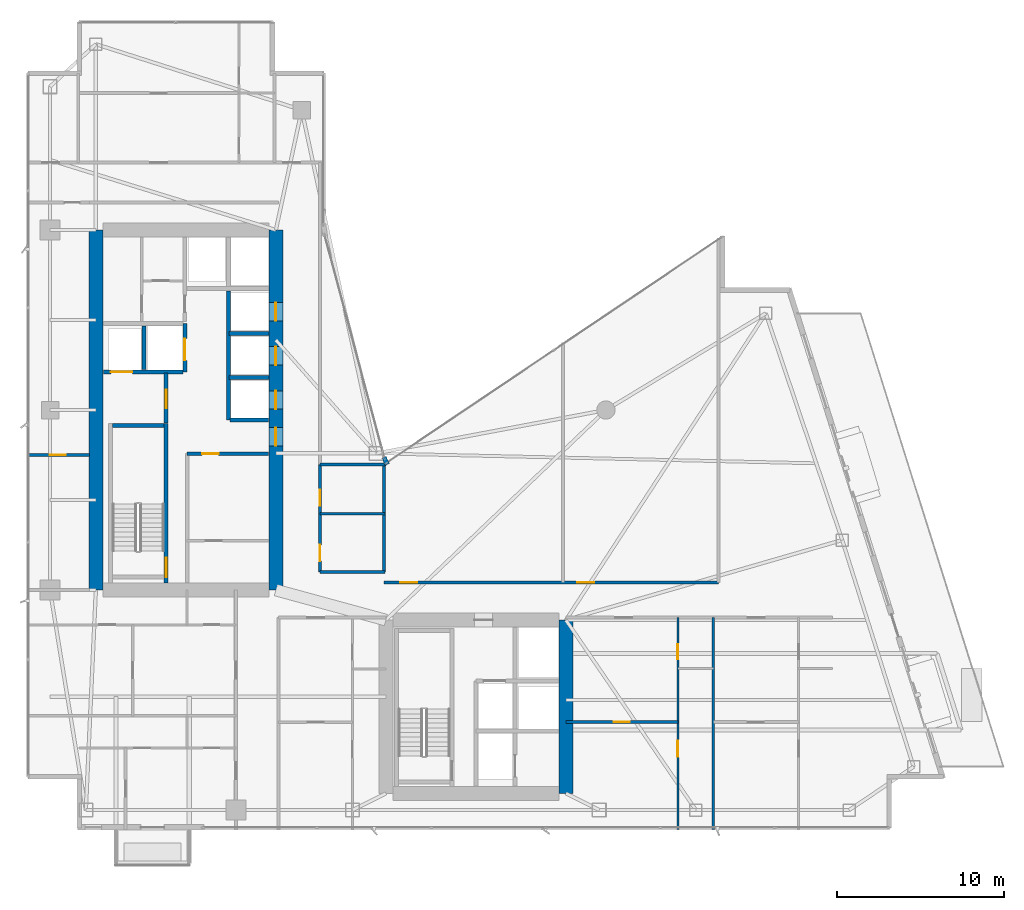
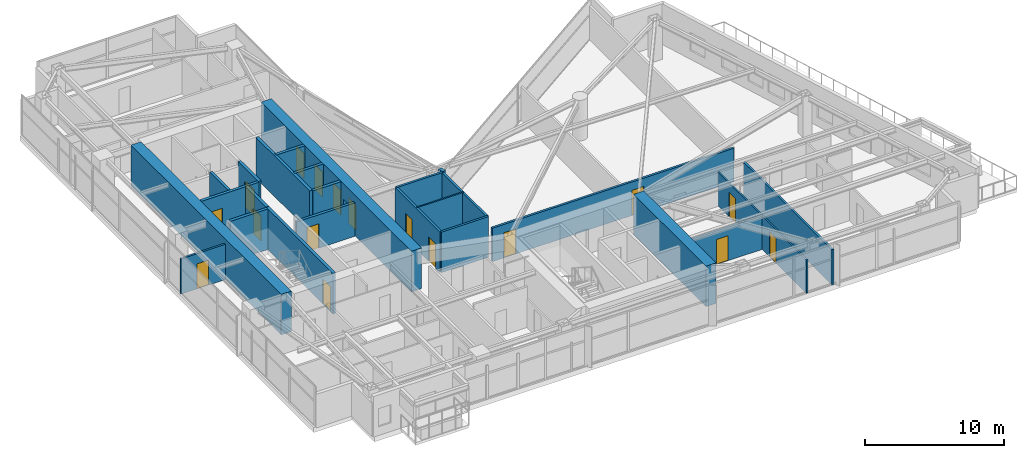
# One storey, part 25 of 30: 25 walls, 17 doors, 17 openings.
"""IFC4 building model written with IfcOpenShell, lengths in metres."""

from ifc_helpers import new_model, si_unit, direction, frame, frame_2d, origin, place, context, subcontext, project, spatial, rectangle, extrude, material, layer, layer_set, type_object, element, fill, save


model = new_model("IFC4")

# Units and contexts
model_context = context("Model", 3, precision=1e-05, world=origin(), true_north=direction((0.0, 1.0)))
body_context = subcontext(model_context, "Body", "Model", "MODEL_VIEW")
ifc_project = project(units=[si_unit("LENGTHUNIT", "METRE"), si_unit("AREAUNIT", "SQUARE_METRE"), si_unit("VOLUMEUNIT", "CUBIC_METRE"), si_unit("PLANEANGLEUNIT", "RADIAN"), si_unit("MASSUNIT", "GRAM", prefix="KILO")], contexts=[model_context])

# Site, building, storey
site_placement = place(None, origin())
site = spatial("IfcSite", under=ifc_project, at=site_placement, CompositionType="ELEMENT")
building_placement = place(site_placement, origin())
building = spatial("IfcBuilding", under=site, at=building_placement, Name="Calvorn Quay Hotel", CompositionType="ELEMENT")
storey_placement = place(building_placement, frame((0.0, 0.0, 191.300048828125)))
storey = spatial("IfcBuildingStorey", under=building, at=storey_placement, Name="L47", CompositionType="ELEMENT", Elevation=191.300048828125)

# Wall
ifc_material_1 = material(Name="Concrete C50", Category="concrete")
ifc_layer_1 = layer(ifc_material_1, 0.85009765625)
ifc_layer_set_1 = layer_set([ifc_layer_1], Name="WL-CORE-850")
wall_type_1 = type_object("IfcWallType", Name="WL-CORE-850", PredefinedType="SHEAR", material=ifc_layer_set_1)
wall_1_placement = place(storey_placement, frame((4.199951171875, 16.800048828125, 0.0), z_axis=(0.0, 0.0, 1.0), x_axis=(0.0, 1.0, 0.0)))
element("IfcWall", 1, at=wall_1_placement, inside=storey, type_object=wall_type_1, Name="West Core Shear Wall W (L47)", PredefinedType="SHEAR", context=body_context, shape_type="SweptSolid", body=[
    extrude(rectangle(XDim=21.599853515625, YDim=0.85009765625, at=frame_2d((10.7998046875, 0.0))), origin(), (0.0, 0.0, 1.0), 3.56005859375),
])

# Wall, openings, doors
wall_2_placement = place(storey_placement, frame((15.0, 16.800048828125, 0.0), z_axis=(0.0, 0.0, 1.0), x_axis=(0.0, 1.0, 0.0)))
wall_2 = element("IfcWall", 2, at=wall_2_placement, inside=storey, type_object=wall_type_1, Name="West Core Shear Wall E (L47)", PredefinedType="SHEAR", context=body_context, shape_type="SweptSolid", body=[
    extrude(rectangle(XDim=21.599853515625, YDim=0.85009765625, at=frame_2d((10.7998046875, 0.0))), origin(), (0.0, 0.0, 1.0), 3.56005859375),
])
opening_1_placement = place(wall_2_placement, frame((8.64990234375, 0.0, 0.0)))
opening_1 = element("IfcOpeningElement", 3, at=opening_1_placement, cuts=wall_2, Name="Opening D-L47-CW1", PredefinedType="OPENING", context=body_context, shape_type="SweptSolid", body=[
    extrude(rectangle(XDim=1.10009765625, YDim=2.199951171875, at=frame_2d((0.550048828125, 1.10009765625))), frame((0.0, 0.43505859375, 0.0), z_axis=(0.0, -1.0, 0.0), x_axis=(1.0, 0.0, 0.0)), (0.0, 0.0, 1.0), 0.8701171875),
])
opening_2_placement = place(wall_2_placement, frame((10.85009765625, 0.0, 0.0)))
opening_2 = element("IfcOpeningElement", 4, at=opening_2_placement, cuts=wall_2, Name="Opening LD-L47-M1", PredefinedType="OPENING", context=body_context, shape_type="SweptSolid", body=[
    extrude(rectangle(XDim=1.10009765625, YDim=2.199951171875, at=frame_2d((0.550048828125, 1.10009765625))), frame((0.0, 0.43505859375, 0.0), z_axis=(0.0, -1.0, 0.0), x_axis=(1.0, 0.0, 0.0)), (0.0, 0.0, 1.0), 0.8701171875),
])
opening_3_placement = place(wall_2_placement, frame((13.5, 0.0, 0.0)))
opening_3 = element("IfcOpeningElement", 5, at=opening_3_placement, cuts=wall_2, Name="Opening LD-L47-M2", PredefinedType="OPENING", context=body_context, shape_type="SweptSolid", body=[
    extrude(rectangle(XDim=1.10009765625, YDim=2.199951171875, at=frame_2d((0.550048828125, 1.10009765625))), frame((0.0, 0.43505859375, 0.0), z_axis=(0.0, -1.0, 0.0), x_axis=(1.0, 0.0, 0.0)), (0.0, 0.0, 1.0), 0.8701171875),
])
opening_4_placement = place(wall_2_placement, frame((16.14990234375, 0.0, 0.0)))
opening_4 = element("IfcOpeningElement", 6, at=opening_4_placement, cuts=wall_2, Name="Opening LD-L47-M3", PredefinedType="OPENING", context=body_context, shape_type="SweptSolid", body=[
    extrude(rectangle(XDim=1.10009765625, YDim=2.199951171875, at=frame_2d((0.550048828125, 1.10009765625))), frame((0.0, 0.43505859375, 0.0), z_axis=(0.0, -1.0, 0.0), x_axis=(1.0, 0.0, 0.0)), (0.0, 0.0, 1.0), 0.8701171875),
])
ifc_material_2 = material(Name="Smoke-Sealed Steel Class A Fire Door", Category="steel")
door_type_1 = type_object("IfcDoorType", Name="DR-FFLOBBY-1100", OperationType="NOTDEFINED", PredefinedType="DOOR", material=ifc_material_2)
door_1_placement = place(opening_1_placement, origin())
door_1 = element("IfcDoor", 7, at=door_1_placement, inside=storey, type_object=door_type_1, Name="West Core Vestibule Fire Door (L47)", OperationType="SINGLE_SWING_RIGHT", OverallHeight=2.199951171875, OverallWidth=1.10009765625, PredefinedType="DOOR", context=body_context, shape_type="SweptSolid", body=[
    extrude(rectangle(XDim=1.10009765625, YDim=2.199951171875, at=frame_2d((0.550048828125, 1.10009765625))), frame((0.0, 0.02490234375, 0.0), z_axis=(0.0, -1.0, 0.0), x_axis=(1.0, 0.0, 0.0)), (0.0, 0.0, 1.0), 0.050048828125),
])
fill(opening_1, door_1)
ifc_material_3 = material(Name="Brushed Stainless Steel Sliding Lift Landing Door", Category="steel")
door_type_2 = type_object("IfcDoorType", Name="DR-LIFT-PASS-1100", OperationType="NOTDEFINED", PredefinedType="DOOR", material=ifc_material_3)
door_2_placement = place(opening_2_placement, origin())
door_2 = element("IfcDoor", 8, at=door_2_placement, inside=storey, type_object=door_type_2, Name="Mid-Rise Lift PL-M1 Landing Door (L47)", OperationType="DOUBLE_DOOR_SLIDING", OverallHeight=2.199951171875, OverallWidth=1.10009765625, PredefinedType="DOOR", context=body_context, shape_type="SweptSolid", body=[
    extrude(rectangle(XDim=1.10009765625, YDim=2.199951171875, at=frame_2d((0.550048828125, 1.10009765625))), frame((0.0, 0.02490234375, 0.0), z_axis=(0.0, -1.0, 0.0), x_axis=(1.0, 0.0, 0.0)), (0.0, 0.0, 1.0), 0.050048828125),
])
fill(opening_2, door_2)
door_3_placement = place(opening_3_placement, origin())
door_3 = element("IfcDoor", 9, at=door_3_placement, inside=storey, type_object=door_type_2, Name="Mid-Rise Lift PL-M2 Landing Door (L47)", OperationType="DOUBLE_DOOR_SLIDING", OverallHeight=2.199951171875, OverallWidth=1.10009765625, PredefinedType="DOOR", context=body_context, shape_type="SweptSolid", body=[
    extrude(rectangle(XDim=1.10009765625, YDim=2.199951171875, at=frame_2d((0.550048828125, 1.10009765625))), frame((0.0, 0.02490234375, 0.0), z_axis=(0.0, -1.0, 0.0), x_axis=(1.0, 0.0, 0.0)), (0.0, 0.0, 1.0), 0.050048828125),
])
fill(opening_3, door_3)
door_4_placement = place(opening_4_placement, origin())
door_4 = element("IfcDoor", 10, at=door_4_placement, inside=storey, type_object=door_type_2, Name="Mid-Rise Lift PL-M3 Landing Door (L47)", OperationType="DOUBLE_DOOR_SLIDING", OverallHeight=2.199951171875, OverallWidth=1.10009765625, PredefinedType="DOOR", context=body_context, shape_type="SweptSolid", body=[
    extrude(rectangle(XDim=1.10009765625, YDim=2.199951171875, at=frame_2d((0.550048828125, 1.10009765625))), frame((0.0, 0.02490234375, 0.0), z_axis=(0.0, -1.0, 0.0), x_axis=(1.0, 0.0, 0.0)), (0.0, 0.0, 1.0), 0.050048828125),
])
fill(opening_4, door_4)

# Walls
wall_3_placement = place(storey_placement, frame((32.39990234375, 4.60009765625, 0.0), z_axis=(0.0, 0.0, 1.0), x_axis=(0.0, 1.0, 0.0)))
element("IfcWall", 11, at=wall_3_placement, inside=storey, type_object=wall_type_1, Name="East Core Shear Wall E (L47)", PredefinedType="SHEAR", context=body_context, shape_type="SweptSolid", body=[
    extrude(rectangle(XDim=10.39990234375, YDim=0.85009765625, at=frame_2d((5.199951171875, 0.0))), origin(), (0.0, 0.0, 1.0), 3.56005859375),
])
ifc_material_4 = material(Name="Acoustic Fireboard Steel-Stud Partition", Category="steel")
ifc_layer_2 = layer(ifc_material_4, 0.179931640625)
ifc_layer_set_2 = layer_set([ifc_layer_2], Name="WL-CORR-FIRE-180")
wall_type_2 = type_object("IfcWallType", Name="WL-CORR-FIRE-180", PredefinedType="PARTITIONING", material=ifc_layer_set_2)
wall_4_placement = place(storey_placement, frame((17.64990234375, 17.8798828125, 0.0), z_axis=(0.0, 0.0, 1.0), x_axis=(1.0, 0.0, 0.0)))
element("IfcWall", 12, at=wall_4_placement, inside=storey, type_object=wall_type_2, Name="Partition Wall L47-WL-HK-S", PredefinedType="PARTITIONING", context=body_context, shape_type="SweptSolid", body=[
    extrude(rectangle(XDim=3.900146484375, YDim=0.179931640625, at=frame_2d((1.9501953125, 0.0))), origin(), (0.0, 0.0, 1.0), 3.56005859375),
])
wall_5_placement = place(storey_placement, frame((17.64990234375, 24.320068359375, 0.0), z_axis=(0.0, 0.0, 1.0), x_axis=(1.0, 0.0, 0.0)))
element("IfcWall", 13, at=wall_5_placement, inside=storey, type_object=wall_type_2, Name="Partition Wall L47-WL-HK-N", PredefinedType="PARTITIONING", context=body_context, shape_type="SweptSolid", body=[
    extrude(rectangle(XDim=3.9501953125, YDim=0.179931640625, at=frame_2d((1.97509765625, 0.0))), origin(), (0.0, 0.0, 1.0), 3.56005859375),
])
wall_6_placement = place(storey_placement, frame((21.5, 17.8798828125, 0.0), z_axis=(0.0, 0.0, 1.0), x_axis=(0.0, 1.0, 0.0)))
element("IfcWall", 14, at=wall_6_placement, inside=storey, type_object=wall_type_2, Name="Partition Wall L47-WL-HK-E", PredefinedType="PARTITIONING", context=body_context, shape_type="SweptSolid", body=[
    extrude(rectangle(XDim=6.440185546875, YDim=0.179931640625, at=frame_2d((3.22021484375, 0.0))), origin(), (0.0, 0.0, 1.0), 3.56005859375),
])

# Wall, openings, doors
wall_7_placement = place(storey_placement, frame((17.64990234375, 17.8798828125, 0.0), z_axis=(0.0, 0.0, 1.0), x_axis=(0.0, 1.0, 0.0)))
wall_7 = element("IfcWall", 15, at=wall_7_placement, inside=storey, type_object=wall_type_2, Name="Partition Wall L47-WL-HK-W", PredefinedType="PARTITIONING", context=body_context, shape_type="SweptSolid", body=[
    extrude(rectangle(XDim=6.440185546875, YDim=0.179931640625, at=frame_2d((3.22021484375, 0.0))), origin(), (0.0, 0.0, 1.0), 3.56005859375),
])
opening_5_placement = place(wall_7_placement, frame((0.64990234375, 0.0, 0.0)))
opening_5 = element("IfcOpeningElement", 16, at=opening_5_placement, cuts=wall_7, Name="Opening D-L47-HK", PredefinedType="OPENING", context=body_context, shape_type="SweptSolid", body=[
    extrude(rectangle(XDim=0.97998046875, YDim=2.14990234375, at=frame_2d((0.489990234375, 1.074951171875))), frame((0.0, 0.099853515625, 0.0), z_axis=(0.0, -1.0, 0.0), x_axis=(1.0, 0.0, 0.0)), (0.0, 0.0, 1.0), 0.199951171875),
])
opening_6_placement = place(wall_7_placement, frame((3.969970703125, 0.0, 0.0)))
opening_6 = element("IfcOpeningElement", 17, at=opening_6_placement, cuts=wall_7, Name="Opening D-L47-NCP", PredefinedType="OPENING", context=body_context, shape_type="SweptSolid", body=[
    extrude(rectangle(XDim=0.9599609375, YDim=2.199951171875, at=frame_2d((0.47998046875, 1.10009765625))), frame((0.0, 0.099853515625, 0.0), z_axis=(0.0, -1.0, 0.0), x_axis=(1.0, 0.0, 0.0)), (0.0, 0.0, 1.0), 0.199951171875),
])
ifc_material_5 = material(Name="Painted Steel Housekeeping/Riser Fire Door", Category="steel")
door_type_3 = type_object("IfcDoorType", Name="DR-SERVICE-980", OperationType="NOTDEFINED", PredefinedType="DOOR", material=ifc_material_5)
door_5_placement = place(opening_5_placement, origin())
door_5 = element("IfcDoor", 18, at=door_5_placement, inside=storey, type_object=door_type_3, Name="Floor Housekeeping Door (L47)", OperationType="SINGLE_SWING_LEFT", OverallHeight=2.14990234375, OverallWidth=0.97998046875, PredefinedType="DOOR", context=body_context, shape_type="SweptSolid", body=[
    extrude(rectangle(XDim=0.97998046875, YDim=2.14990234375, at=frame_2d((0.489990234375, 1.074951171875))), frame((0.0, 0.02490234375, 0.0), z_axis=(0.0, -1.0, 0.0), x_axis=(1.0, 0.0, 0.0)), (0.0, 0.0, 1.0), 0.050048828125),
])
fill(opening_5, door_5)
ifc_material_6 = material(Name="Solid Timber Internal Suite Door", Category="wood")
door_type_4 = type_object("IfcDoorType", Name="DR-SUITE-INT-960", OperationType="NOTDEFINED", PredefinedType="DOOR", material=ifc_material_6)
door_6_placement = place(opening_6_placement, origin())
door_6 = element("IfcDoor", 19, at=door_6_placement, inside=storey, type_object=door_type_4, Name="Reading Alcove Door (L47)", OperationType="SINGLE_SWING_RIGHT", OverallHeight=2.199951171875, OverallWidth=0.9599609375, PredefinedType="DOOR", context=body_context, shape_type="SweptSolid", body=[
    extrude(rectangle(XDim=0.9599609375, YDim=2.199951171875, at=frame_2d((0.47998046875, 1.10009765625))), frame((0.0, 0.02490234375, 0.0), z_axis=(0.0, -1.0, 0.0), x_axis=(1.0, 0.0, 0.0)), (0.0, 0.0, 1.0), 0.050048828125),
])
fill(opening_6, door_6)

wall_8_placement = place(storey_placement, frame((21.5, 17.25, 0.0), z_axis=(0.0, 0.0, 1.0), x_axis=(1.0, 0.0, 0.0)))
wall_8 = element("IfcWall", 20, at=wall_8_placement, inside=storey, type_object=wall_type_2, Name="Partition Wall L47-WL-CORR-NE-N", PredefinedType="PARTITIONING", context=body_context, shape_type="SweptSolid", body=[
    extrude(rectangle(XDim=20.050048828125, YDim=0.179931640625, at=frame_2d((10.02490234375, 0.0))), origin(), (0.0, 0.0, 1.0), 2.93994140625),
])
opening_7_placement = place(wall_8_placement, frame((0.949951171875, 0.0, 0.0)))
opening_7 = element("IfcOpeningElement", 21, at=opening_7_placement, cuts=wall_8, Name="Opening D-L47-NS1", PredefinedType="OPENING", context=body_context, shape_type="SweptSolid", body=[
    extrude(rectangle(XDim=1.02001953125, YDim=2.199951171875, at=frame_2d((0.510009765625, 1.10009765625))), frame((0.0, 0.099853515625, 0.0), z_axis=(0.0, -1.0, 0.0), x_axis=(1.0, 0.0, 0.0)), (0.0, 0.0, 1.0), 0.199951171875),
])
opening_8_placement = place(wall_8_placement, frame((11.580078125, 0.0, 0.0)))
opening_8 = element("IfcOpeningElement", 22, at=opening_8_placement, cuts=wall_8, Name="Opening D-L47-NS2", PredefinedType="OPENING", context=body_context, shape_type="SweptSolid", body=[
    extrude(rectangle(XDim=1.02001953125, YDim=2.199951171875, at=frame_2d((0.510009765625, 1.10009765625))), frame((0.0, 0.099853515625, 0.0), z_axis=(0.0, -1.0, 0.0), x_axis=(1.0, 0.0, 0.0)), (0.0, 0.0, 1.0), 0.199951171875),
])
ifc_material_7 = material(Name="Solid-Core Walnut Veneer Hotel Fire Door")
door_type_5 = type_object("IfcDoorType", Name="DR-GUEST-ENTRY-1020", OperationType="NOTDEFINED", PredefinedType="DOOR", material=ifc_material_7)
door_7_placement = place(opening_7_placement, origin())
door_7 = element("IfcDoor", 23, at=door_7_placement, inside=storey, type_object=door_type_5, Name="Conservatory Salon Door 1 (L47)", OperationType="SINGLE_SWING_RIGHT", OverallHeight=2.199951171875, OverallWidth=1.02001953125, PredefinedType="DOOR", context=body_context, shape_type="SweptSolid", body=[
    extrude(rectangle(XDim=1.02001953125, YDim=2.199951171875, at=frame_2d((0.510009765625, 1.10009765625))), frame((0.0, 0.02490234375, 0.0), z_axis=(0.0, -1.0, 0.0), x_axis=(1.0, 0.0, 0.0)), (0.0, 0.0, 1.0), 0.050048828125),
])
fill(opening_7, door_7)
door_8_placement = place(opening_8_placement, origin())
door_8 = element("IfcDoor", 24, at=door_8_placement, inside=storey, type_object=door_type_5, Name="Conservatory Salon Door 2 (L47)", OperationType="SINGLE_SWING_LEFT", OverallHeight=2.199951171875, OverallWidth=1.02001953125, PredefinedType="DOOR", context=body_context, shape_type="SweptSolid", body=[
    extrude(rectangle(XDim=1.02001953125, YDim=2.199951171875, at=frame_2d((0.510009765625, 1.10009765625))), frame((0.0, 0.02490234375, 0.0), z_axis=(0.0, -1.0, 0.0), x_axis=(1.0, 0.0, 0.0)), (0.0, 0.0, 1.0), 0.050048828125),
])
fill(opening_8, door_8)

# Wall
ifc_material_8 = material(Name="Moisture-Resistant Tile-Backed Partition")
ifc_layer_3 = layer(ifc_material_8, 0.125)
ifc_layer_set_3 = layer_set([ifc_layer_3], Name="WL-ENSUITE-125")
wall_type_3 = type_object("IfcWallType", Name="WL-ENSUITE-125", PredefinedType="PARTITIONING", material=ifc_layer_set_3)
wall_9_placement = place(storey_placement, frame((17.64990234375, 21.3798828125, 0.0), z_axis=(0.0, 0.0, 1.0), x_axis=(1.0, 0.0, 0.0)))
element("IfcWall", 25, at=wall_9_placement, inside=storey, type_object=wall_type_3, Name="Partition Wall L47-WL-HK-M", PredefinedType="PARTITIONING", context=body_context, shape_type="SweptSolid", body=[
    extrude(rectangle(XDim=3.900146484375, YDim=0.125, at=frame_2d((1.9501953125, 0.0))), origin(), (0.0, 0.0, 1.0), 3.56005859375),
])

# Wall, openings, doors
wall_10_placement = place(storey_placement, frame((39.1201171875, 2.43994140625, 0.0), z_axis=(0.0, 0.0, 1.0), x_axis=(0.0, 1.0, 0.0)))
wall_10 = element("IfcWall", 26, at=wall_10_placement, inside=storey, type_object=wall_type_3, Name="Partition Wall L47-WL-U05-BV", PredefinedType="PARTITIONING", context=body_context, shape_type="SweptSolid", body=[
    extrude(rectangle(XDim=12.7099609375, YDim=0.125, at=frame_2d((6.35498046875, 0.0))), origin(), (0.0, 0.0, 1.0), 2.93994140625),
])
opening_9_placement = place(wall_10_placement, frame((4.35009765625, 0.0, 0.0)))
opening_9 = element("IfcOpeningElement", 27, at=opening_9_placement, cuts=wall_10, Name="Opening D-L47-S05", PredefinedType="OPENING", context=body_context, shape_type="SweptSolid", body=[
    extrude(rectangle(XDim=0.9599609375, YDim=2.199951171875, at=frame_2d((0.47998046875, 1.10009765625))), frame((0.0, 0.072509765625, 0.0), z_axis=(0.0, -1.0, 0.0), x_axis=(1.0, 0.0, 0.0)), (0.0, 0.0, 1.0), 0.14501953125),
])
opening_10_placement = place(wall_10_placement, frame((10.2099609375, 0.0, 0.0)))
opening_10 = element("IfcOpeningElement", 28, at=opening_10_placement, cuts=wall_10, Name="Opening D-L47-E05", PredefinedType="OPENING", context=body_context, shape_type="SweptSolid", body=[
    extrude(rectangle(XDim=0.89990234375, YDim=2.14990234375, at=frame_2d((0.449951171875, 1.074951171875))), frame((0.0, 0.072509765625, 0.0), z_axis=(0.0, -1.0, 0.0), x_axis=(1.0, 0.0, 0.0)), (0.0, 0.0, 1.0), 0.14501953125),
])
ifc_material_9 = material(Name="Moisture-Sealed Timber En-Suite Door", Category="wood")
door_type_6 = type_object("IfcDoorType", Name="DR-ENSUITE-900", OperationType="NOTDEFINED", PredefinedType="DOOR", material=ifc_material_9)
door_9_placement = place(opening_10_placement, origin())
door_9 = element("IfcDoor", 29, at=door_9_placement, inside=storey, type_object=door_type_6, Name="En-Suite Door 05", OperationType="SINGLE_SWING_RIGHT", OverallHeight=2.14990234375, OverallWidth=0.89990234375, PredefinedType="DOOR", context=body_context, shape_type="SweptSolid", body=[
    extrude(rectangle(XDim=0.89990234375, YDim=2.14990234375, at=frame_2d((0.449951171875, 1.074951171875))), frame((0.0, 0.02490234375, 0.0), z_axis=(0.0, -1.0, 0.0), x_axis=(1.0, 0.0, 0.0)), (0.0, 0.0, 1.0), 0.050048828125),
])
fill(opening_10, door_9)
door_10_placement = place(opening_9_placement, origin())
door_10 = element("IfcDoor", 30, at=door_10_placement, inside=storey, type_object=door_type_4, Name="Harbour Dining Den Door 05", OperationType="SINGLE_SWING_LEFT", OverallHeight=2.199951171875, OverallWidth=0.9599609375, PredefinedType="DOOR", context=body_context, shape_type="SweptSolid", body=[
    extrude(rectangle(XDim=0.9599609375, YDim=2.199951171875, at=frame_2d((0.47998046875, 1.10009765625))), frame((0.0, 0.02490234375, 0.0), z_axis=(0.0, -1.0, 0.0), x_axis=(1.0, 0.0, 0.0)), (0.0, 0.0, 1.0), 0.050048828125),
])
fill(opening_9, door_10)

# Wall
ifc_material_10 = material(Name="Concrete C40", Category="concrete")
ifc_layer_4 = layer(ifc_material_10, 0.320068359375)
ifc_layer_set_4 = layer_set([ifc_layer_4], Name="WL-EXT-SPANDREL-320")
wall_type_4 = type_object("IfcWallType", Name="WL-EXT-SPANDREL-320", PredefinedType="SOLIDWALL", material=ifc_layer_set_4)
wall_11_placement = place(storey_placement, frame((21.679931640625, 24.340087890625, 0.0), z_axis=(0.0, 0.0, 1.0), x_axis=(-0.40758134973, 0.913168901875, 0.0)))
element("IfcWall", 31, at=wall_11_placement, inside=storey, type_object=wall_type_4, Name="Inner Court Corner Pier L47-ICJ1", PredefinedType="SOLIDWALL", context=body_context, shape_type="SweptSolid", body=[
    extrude(rectangle(XDim=0.470703125, YDim=0.280029296875, at=frame_2d((0.2353515625, 0.0))), origin(), (0.0, 0.0, 1.0), 3.56005859375),
])

# Wall, opening, door
ifc_material_11 = material(Name="Double-Stud Acoustic Gypsum Partition")
ifc_layer_5 = layer(ifc_material_11, 0.159912109375)
ifc_layer_set_5 = layer_set([ifc_layer_5], Name="WL-INTERSUITE-160")
wall_type_5 = type_object("IfcWallType", Name="WL-INTERSUITE-160", PredefinedType="PARTITIONING", material=ifc_layer_set_5)
wall_12_placement = place(storey_placement, frame((0.080078125, 24.89990234375, 0.0), z_axis=(0.0, 0.0, 1.0), x_axis=(1.0, 0.0, 0.0)))
wall_12 = element("IfcWall", 32, at=wall_12_placement, inside=storey, type_object=wall_type_5, Name="Partition Wall L47-WL-WBAY-DIV", PredefinedType="PARTITIONING", context=body_context, shape_type="SweptSolid", body=[
    extrude(rectangle(XDim=3.724853515625, YDim=0.159912109375, at=frame_2d((1.8623046875, 0.0))), origin(), (0.0, 0.0, 1.0), 3.08984375),
])
opening_11_placement = place(wall_12_placement, frame((1.35009765625, 0.0, 0.0)))
opening_11 = element("IfcOpeningElement", 33, at=opening_11_placement, cuts=wall_12, Name="Opening D-L47-WBD", PredefinedType="OPENING", context=body_context, shape_type="SweptSolid", body=[
    extrude(rectangle(XDim=0.9599609375, YDim=2.199951171875, at=frame_2d((0.47998046875, 1.10009765625))), frame((0.0, 0.08984375, 0.0), z_axis=(0.0, -1.0, 0.0), x_axis=(1.0, 0.0, 0.0)), (0.0, 0.0, 1.0), 0.179931640625),
])
door_11_placement = place(opening_11_placement, origin())
door_11 = element("IfcDoor", 34, at=door_11_placement, inside=storey, type_object=door_type_4, Name="West Bay Connecting Door (L47)", OperationType="SINGLE_SWING_LEFT", OverallHeight=2.199951171875, OverallWidth=0.9599609375, PredefinedType="DOOR", context=body_context, shape_type="SweptSolid", body=[
    extrude(rectangle(XDim=0.9599609375, YDim=2.199951171875, at=frame_2d((0.47998046875, 1.10009765625))), frame((0.0, 0.02490234375, 0.0), z_axis=(0.0, -1.0, 0.0), x_axis=(1.0, 0.0, 0.0)), (0.0, 0.0, 1.0), 0.050048828125),
])
fill(opening_11, door_11)

wall_13_placement = place(storey_placement, frame((32.39990234375, 8.8798828125, 0.0), z_axis=(0.0, 0.0, 1.0), x_axis=(1.0, 0.0, 0.0)))
wall_13 = element("IfcWall", 35, at=wall_13_placement, inside=storey, type_object=wall_type_5, Name="Partition Wall L47-WL-U05-MSP", PredefinedType="PARTITIONING", context=body_context, shape_type="SweptSolid", body=[
    extrude(rectangle(XDim=6.72021484375, YDim=0.159912109375, at=frame_2d((3.360107421875, 0.0))), origin(), (0.0, 0.0, 1.0), 2.93994140625),
])
opening_12_placement = place(wall_13_placement, frame((2.8798828125, 0.0, 0.0)))
opening_12 = element("IfcOpeningElement", 36, at=opening_12_placement, cuts=wall_13, Name="Opening D-L47-M05", PredefinedType="OPENING", context=body_context, shape_type="SweptSolid", body=[
    extrude(rectangle(XDim=0.9599609375, YDim=2.199951171875, at=frame_2d((0.47998046875, 1.10009765625))), frame((0.0, 0.08984375, 0.0), z_axis=(0.0, -1.0, 0.0), x_axis=(1.0, 0.0, 0.0)), (0.0, 0.0, 1.0), 0.179931640625),
])
door_12_placement = place(opening_12_placement, origin())
door_12 = element("IfcDoor", 37, at=door_12_placement, inside=storey, type_object=door_type_4, Name="Suite Bedroom Door 05", OperationType="SINGLE_SWING_LEFT", OverallHeight=2.199951171875, OverallWidth=0.9599609375, PredefinedType="DOOR", context=body_context, shape_type="SweptSolid", body=[
    extrude(rectangle(XDim=0.9599609375, YDim=2.199951171875, at=frame_2d((0.47998046875, 1.10009765625))), frame((0.0, 0.02490234375, 0.0), z_axis=(0.0, -1.0, 0.0), x_axis=(1.0, 0.0, 0.0)), (0.0, 0.0, 1.0), 0.050048828125),
])
fill(opening_12, door_12)

# Wall
wall_14_placement = place(storey_placement, frame((41.25, 2.43994140625, 0.0), z_axis=(0.0, 0.0, 1.0), x_axis=(0.0, 1.0, 0.0)))
element("IfcWall", 38, at=wall_14_placement, inside=storey, type_object=wall_type_5, Name="Partition Wall L47-WL-SE-DIV-1", PredefinedType="PARTITIONING", context=body_context, shape_type="SweptSolid", body=[
    extrude(rectangle(XDim=12.7099609375, YDim=0.159912109375, at=frame_2d((6.35498046875, 0.0))), origin(), (0.0, 0.0, 1.0), 3.08984375),
])

# Wall, opening, door
ifc_material_12 = material(Name="Autoclaved Aerated Masonry Block", Category="masonry")
ifc_layer_6 = layer(ifc_material_12, 0.219970703125)
ifc_layer_set_6 = layer_set([ifc_layer_6], Name="WL-LOBBY-FIRE-220")
wall_type_6 = type_object("IfcWallType", Name="WL-LOBBY-FIRE-220", PredefinedType="SOLIDWALL", material=ifc_layer_set_6)
wall_15_placement = place(storey_placement, frame((9.679931640625, 24.969970703125, 0.0), z_axis=(0.0, 0.0, 1.0), x_axis=(1.0, 0.0, 0.0)))
wall_15 = element("IfcWall", 39, at=wall_15_placement, inside=storey, type_object=wall_type_6, Name="Partition Wall L47-WL-CWW-FR-N", PredefinedType="SOLIDWALL", context=body_context, shape_type="SweptSolid", body=[
    extrude(rectangle(XDim=4.875, YDim=0.219970703125, at=frame_2d((2.4375, 0.0))), origin(), (0.0, 0.0, 1.0), 2.93994140625),
])
opening_13_placement = place(wall_15_placement, frame((0.89990234375, 0.0, 0.0)))
opening_13 = element("IfcOpeningElement", 40, at=opening_13_placement, cuts=wall_15, Name="Opening D-L47-FRL2", PredefinedType="OPENING", context=body_context, shape_type="SweptSolid", body=[
    extrude(rectangle(XDim=0.97998046875, YDim=2.14990234375, at=frame_2d((0.489990234375, 1.074951171875))), frame((0.0, 0.119873046875, 0.0), z_axis=(0.0, -1.0, 0.0), x_axis=(1.0, 0.0, 0.0)), (0.0, 0.0, 1.0), 0.239990234375),
])
door_13_placement = place(opening_13_placement, origin())
door_13 = element("IfcDoor", 41, at=door_13_placement, inside=storey, type_object=door_type_3, Name="Beverage Pantry Door (L47)", OperationType="SINGLE_SWING_RIGHT", OverallHeight=2.14990234375, OverallWidth=0.97998046875, PredefinedType="DOOR", context=body_context, shape_type="SweptSolid", body=[
    extrude(rectangle(XDim=0.97998046875, YDim=2.14990234375, at=frame_2d((0.489990234375, 1.074951171875))), frame((0.0, 0.02490234375, 0.0), z_axis=(0.0, -1.0, 0.0), x_axis=(1.0, 0.0, 0.0)), (0.0, 0.0, 1.0), 0.050048828125),
])
fill(opening_13, door_13)

ifc_material_13 = material(Name="Concrete C40", Category="concrete")
ifc_layer_7 = layer(ifc_material_13, 0.239990234375)
ifc_layer_set_7 = layer_set([ifc_layer_7], Name="WL-SHAFT-240")
wall_type_7 = type_object("IfcWallType", Name="WL-SHAFT-240", PredefinedType="SOLIDWALL", material=ifc_layer_set_7)
wall_16_placement = place(storey_placement, frame((8.419921875, 17.22509765625, 0.0), z_axis=(0.0, 0.0, 1.0), x_axis=(0.0, 1.0, 0.0)))
wall_16 = element("IfcWall", 42, at=wall_16_placement, inside=storey, type_object=wall_type_7, Name="Stair STW Shaft Wall E (L47)", PredefinedType="SOLIDWALL", context=body_context, shape_type="SweptSolid", body=[
    extrude(rectangle(XDim=9.56494140625, YDim=0.239990234375, at=frame_2d((4.782470703125, 0.0))), origin(), (0.0, 0.0, 1.0), 3.56005859375),
])
opening_14_placement = place(wall_16_placement, frame((0.35009765625, 0.0, 0.0)))
opening_14 = element("IfcOpeningElement", 43, at=opening_14_placement, cuts=wall_16, Name="Opening D-L47-STW", PredefinedType="OPENING", context=body_context, shape_type="SweptSolid", body=[
    extrude(rectangle(XDim=1.14990234375, YDim=2.199951171875, at=frame_2d((0.574951171875, 1.10009765625))), frame((0.0, 0.1298828125, 0.0), z_axis=(0.0, -1.0, 0.0), x_axis=(1.0, 0.0, 0.0)), (0.0, 0.0, 1.0), 0.260009765625),
])
ifc_material_14 = material(Name="Galvanised Steel Class A Fire Door", Category="steel")
door_type_7 = type_object("IfcDoorType", Name="DR-STAIR-SMOKE-1150", OperationType="NOTDEFINED", PredefinedType="DOOR", material=ifc_material_14)
door_14_placement = place(opening_14_placement, origin())
door_14 = element("IfcDoor", 44, at=door_14_placement, inside=storey, type_object=door_type_7, Name="Stair ST-W Fire Door (L47)", OperationType="SINGLE_SWING_LEFT", OverallHeight=2.199951171875, OverallWidth=1.14990234375, PredefinedType="DOOR", context=body_context, shape_type="SweptSolid", body=[
    extrude(rectangle(XDim=1.14990234375, YDim=2.199951171875, at=frame_2d((0.574951171875, 1.10009765625))), frame((0.0, 0.02490234375, 0.0), z_axis=(0.0, -1.0, 0.0), x_axis=(1.0, 0.0, 0.0)), (0.0, 0.0, 1.0), 0.050048828125),
])
fill(opening_14, door_14)

# Walls
wall_17_placement = place(storey_placement, frame((5.199951171875, 26.669921875, 0.0), z_axis=(0.0, 0.0, 1.0), x_axis=(1.0, 0.0, 0.0)))
element("IfcWall", 45, at=wall_17_placement, inside=storey, type_object=wall_type_7, Name="Stair STW Shaft Wall N (L47)", PredefinedType="SOLIDWALL", context=body_context, shape_type="SweptSolid", body=[
    extrude(rectangle(XDim=3.10009765625, YDim=0.239990234375, at=frame_2d((1.550048828125, 0.0))), origin(), (0.0, 0.0, 1.0), 3.56005859375),
])
for number, where, z_axis, x_axis, name in (
    (46, (12.179931640625, 29.550048828125, 0.0), (0.0, 0.0, 1.0), (1.0, 0.0, 0.0), "Lift Hoistway Divider Wall PLM12 (L47)"),
    (47, (12.179931640625, 32.199951171875, 0.0), (0.0, 0.0, 1.0), (1.0, 0.0, 0.0), "Lift Hoistway Divider Wall PLM23 (L47)"),
):
    element("IfcWall", number, at=place(storey_placement, frame(where, z_axis=z_axis, x_axis=x_axis)), inside=storey, type_object=wall_type_7, Name=name, PredefinedType="SOLIDWALL", context=body_context, shape_type="SweptSolid", body=[
        extrude(rectangle(XDim=2.39501953125, YDim=0.239990234375, at=frame_2d((1.197509765625, 0.0))), origin(), (0.0, 0.0, 1.0), 3.56005859375),
    ])

# Wall, opening, door
wall_18_placement = place(storey_placement, frame((8.419921875, 26.820068359375, 0.0), z_axis=(0.0, 0.0, 1.0), x_axis=(0.0, 1.0, 0.0)))
wall_18 = element("IfcWall", 48, at=wall_18_placement, inside=storey, type_object=wall_type_7, Name="Partition Wall L47-WL-CWW-FFL-E", PredefinedType="SOLIDWALL", context=body_context, shape_type="SweptSolid", body=[
    extrude(rectangle(XDim=3.0, YDim=0.239990234375, at=frame_2d((1.5, 0.0))), origin(), (0.0, 0.0, 1.0), 3.56005859375),
])
opening_15_placement = place(wall_18_placement, frame((0.89990234375, 0.0, 0.0)))
opening_15 = element("IfcOpeningElement", 49, at=opening_15_placement, cuts=wall_18, Name="Opening D-L47-FLW", PredefinedType="OPENING", context=body_context, shape_type="SweptSolid", body=[
    extrude(rectangle(XDim=1.10009765625, YDim=2.199951171875, at=frame_2d((0.550048828125, 1.10009765625))), frame((0.0, 0.1298828125, 0.0), z_axis=(0.0, -1.0, 0.0), x_axis=(1.0, 0.0, 0.0)), (0.0, 0.0, 1.0), 0.260009765625),
])
door_15_placement = place(opening_15_placement, origin())
door_15 = element("IfcDoor", 50, at=door_15_placement, inside=storey, type_object=door_type_1, Name="West Firefighting Lobby Fire Door (L47)", OperationType="SINGLE_SWING_RIGHT", OverallHeight=2.199951171875, OverallWidth=1.10009765625, PredefinedType="DOOR", context=body_context, shape_type="SweptSolid", body=[
    extrude(rectangle(XDim=1.10009765625, YDim=2.199951171875, at=frame_2d((0.550048828125, 1.10009765625))), frame((0.0, 0.02490234375, 0.0), z_axis=(0.0, -1.0, 0.0), x_axis=(1.0, 0.0, 0.0)), (0.0, 0.0, 1.0), 0.050048828125),
])
fill(opening_15, door_15)

wall_19_placement = place(storey_placement, frame((4.64501953125, 29.8798828125, 0.0), z_axis=(0.0, 0.0, 1.0), x_axis=(1.0, 0.0, 0.0)))
wall_19 = element("IfcWall", 51, at=wall_19_placement, inside=storey, type_object=wall_type_7, Name="Partition Wall L47-WL-CWW-FLW-S", PredefinedType="SOLIDWALL", context=body_context, shape_type="SweptSolid", body=[
    extrude(rectangle(XDim=4.77490234375, YDim=0.239990234375, at=frame_2d((2.387451171875, 0.0))), origin(), (0.0, 0.0, 1.0), 3.56005859375),
])
opening_16_placement = place(wall_19_placement, frame((0.449951171875, 0.0, 0.0)))
opening_16 = element("IfcOpeningElement", 52, at=opening_16_placement, cuts=wall_19, Name="Opening LD-L47-FLW1", PredefinedType="OPENING", context=body_context, shape_type="SweptSolid", body=[
    extrude(rectangle(XDim=1.300048828125, YDim=2.35009765625, at=frame_2d((0.64990234375, 1.175048828125))), frame((0.0, 0.1298828125, 0.0), z_axis=(0.0, -1.0, 0.0), x_axis=(1.0, 0.0, 0.0)), (0.0, 0.0, 1.0), 0.260009765625),
])
ifc_material_15 = material(Name="Champagne-Bronze Sliding Express Lift Landing Door")
door_type_8 = type_object("IfcDoorType", Name="DR-LIFT-SHUTTLE-1300", OperationType="NOTDEFINED", PredefinedType="DOOR", material=ifc_material_15)
door_16_placement = place(opening_16_placement, origin())
door_16 = element("IfcDoor", 53, at=door_16_placement, inside=storey, type_object=door_type_8, Name="Firefighting Lift FL-W1 Landing Door (L47)", OperationType="DOUBLE_DOOR_SLIDING", OverallHeight=2.35009765625, OverallWidth=1.300048828125, PredefinedType="DOOR", context=body_context, shape_type="SweptSolid", body=[
    extrude(rectangle(XDim=1.300048828125, YDim=2.35009765625, at=frame_2d((0.64990234375, 1.175048828125))), frame((0.0, 0.02490234375, 0.0), z_axis=(0.0, -1.0, 0.0), x_axis=(1.0, 0.0, 0.0)), (0.0, 0.0, 1.0), 0.050048828125),
])
fill(opening_16, door_16)

# Wall
wall_20_placement = place(storey_placement, frame((7.10009765625, 30.02001953125, 0.0), z_axis=(0.0, 0.0, 1.0), x_axis=(0.0, 1.0, 0.0)))
element("IfcWall", 54, at=wall_20_placement, inside=storey, type_object=wall_type_7, Name="Partition Wall L47-WL-CWW-FLW-DIV", PredefinedType="SOLIDWALL", context=body_context, shape_type="SweptSolid", body=[
    extrude(rectangle(XDim=2.6298828125, YDim=0.239990234375, at=frame_2d((1.31494140625, 0.0))), origin(), (0.0, 0.0, 1.0), 3.56005859375),
])

# Wall, opening, door
wall_21_placement = place(storey_placement, frame((9.5400390625, 29.8798828125, 0.0), z_axis=(0.0, 0.0, 1.0), x_axis=(0.0, 1.0, 0.0)))
wall_21 = element("IfcWall", 55, at=wall_21_placement, inside=storey, type_object=wall_type_7, Name="Partition Wall L47-WL-CWW-SLW-E", PredefinedType="SOLIDWALL", context=body_context, shape_type="SweptSolid", body=[
    extrude(rectangle(XDim=2.900146484375, YDim=0.239990234375, at=frame_2d((1.4501953125, 0.0))), origin(), (0.0, 0.0, 1.0), 3.56005859375),
])
opening_17_placement = place(wall_21_placement, frame((0.699951171875, 0.0, 0.0)))
opening_17 = element("IfcOpeningElement", 56, at=opening_17_placement, cuts=wall_21, Name="Opening LD-L47-SLW1", PredefinedType="OPENING", context=body_context, shape_type="SweptSolid", body=[
    extrude(rectangle(XDim=1.300048828125, YDim=2.35009765625, at=frame_2d((0.64990234375, 1.175048828125))), frame((0.0, 0.1298828125, 0.0), z_axis=(0.0, -1.0, 0.0), x_axis=(1.0, 0.0, 0.0)), (0.0, 0.0, 1.0), 0.260009765625),
])
door_17_placement = place(opening_17_placement, origin())
door_17 = element("IfcDoor", 57, at=door_17_placement, inside=storey, type_object=door_type_8, Name="Service Lift SL-W1 Landing Door (L47)", OperationType="DOUBLE_DOOR_SLIDING", OverallHeight=2.35009765625, OverallWidth=1.300048828125, PredefinedType="DOOR", context=body_context, shape_type="SweptSolid", body=[
    extrude(rectangle(XDim=1.300048828125, YDim=2.35009765625, at=frame_2d((0.64990234375, 1.175048828125))), frame((0.0, 0.02490234375, 0.0), z_axis=(0.0, -1.0, 0.0), x_axis=(1.0, 0.0, 0.0)), (0.0, 0.0, 1.0), 0.050048828125),
])
fill(opening_17, door_17)

# Walls
wall_22_placement = place(storey_placement, frame((12.25, 27.0, 0.0), z_axis=(0.0, 0.0, 1.0), x_axis=(1.0, 0.0, 0.0)))
element("IfcWall", 58, at=wall_22_placement, inside=storey, type_object=wall_type_7, Name="Partition Wall L47-WL-CWW-PLM-S", PredefinedType="SOLIDWALL", context=body_context, shape_type="SweptSolid", body=[
    extrude(rectangle(XDim=2.304931640625, YDim=0.239990234375, at=frame_2d((1.15234375, 0.0))), origin(), (0.0, 0.0, 1.0), 3.56005859375),
])
wall_23_placement = place(storey_placement, frame((12.14990234375, 27.0, 0.0), z_axis=(0.0, 0.0, 1.0), x_axis=(0.0, 1.0, 0.0)))
element("IfcWall", 59, at=wall_23_placement, inside=storey, type_object=wall_type_7, Name="Partition Wall L47-WL-CWW-PLM-W", PredefinedType="SOLIDWALL", context=body_context, shape_type="SweptSolid", body=[
    extrude(rectangle(XDim=7.75, YDim=0.239990234375, at=frame_2d((3.875, 0.0))), origin(), (0.0, 0.0, 1.0), 3.56005859375),
])

save(model, "model.ifc")
